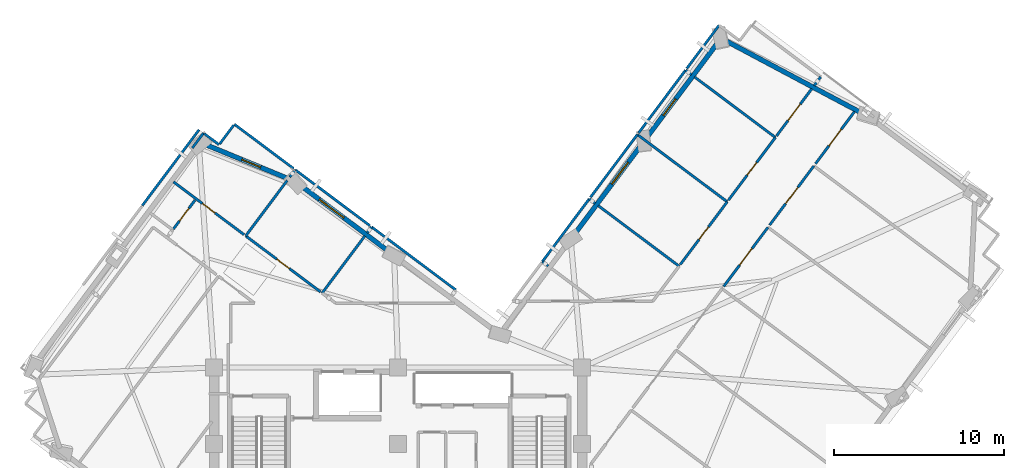
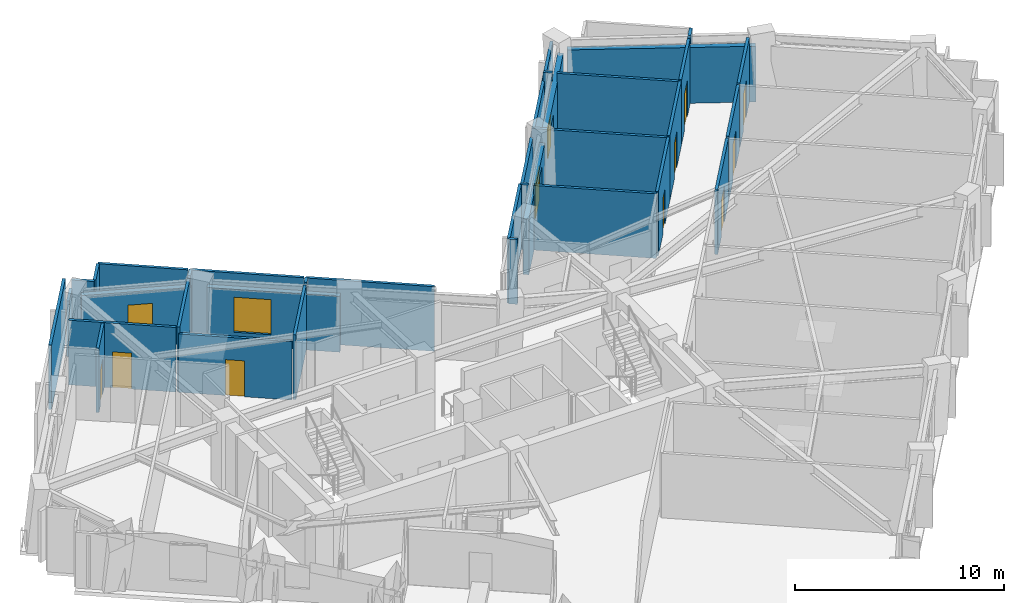
# One storey, part 6 of 12: 36 walls, 9 doors, 4 windows, 13 openings.
"""IFC4 building model written with IfcOpenShell, lengths in metres."""

import ifcopenshell
import ifcopenshell.guid

model = None  # the IFC model being written
_history = None  # IfcOwnerHistory: only IFC2X3 demands one
_inside = {}  # id of a spatial element -> (the spatial element, [elements in it])
_under = {}  # id of a project, library or spatial element -> (it, [spatial elements below it])
_declared = {}  # id of a project -> (the project, [libraries it declares])
_typed = {}  # id of a type object -> (the type object, [elements of that type])
_made_of = {}  # id of a material, layer set ... -> (it, [elements and type objects made of it])


def new_model(schema):
    """Start an empty IFC model of exactly this schema.

    Asked for "IFC4X3", IfcOpenShell would pick the latest addendum, in which some entities
    have other attributes; the version numbers below select the first issue.
    IFC2X3 requires an IfcOwnerHistory on every rooted entity: one is made here for all.
    """
    global model, _history
    if schema == "IFC4X3":
        model = ifcopenshell.file(schema_version=(4, 3, 0, 0))
    else:
        model = ifcopenshell.file(schema=schema)
    _inside.clear()
    _under.clear()
    _declared.clear()
    _typed.clear()
    _made_of.clear()
    _history = None
    if model.schema == "IFC2X3":
        org = make("IfcOrganization", Name="unknown")
        user = make(
            "IfcPersonAndOrganization",
            ThePerson=make("IfcPerson", FamilyName="unknown"),
            TheOrganization=org,
        )
        app = make(
            "IfcApplication",
            ApplicationDeveloper=org,
            Version="unknown",
            ApplicationFullName="unknown",
            ApplicationIdentifier="unknown",
        )
        _history = make(
            "IfcOwnerHistory",
            OwningUser=user,
            OwningApplication=app,
            ChangeAction="ADDED",
            CreationDate=0,
        )
    return model


def make(cls, **values):
    """One entity of the class cls with the attributes given. An attribute that is None is left unset."""
    return model.create_entity(
        cls, **{name: value for name, value in values.items() if value is not None}
    )


def rooted(cls, **values):
    """An entity with a GlobalId (a new one), such as an element, a storey or a relation."""
    return make(cls, GlobalId=ifcopenshell.guid.new(), OwnerHistory=_history, **values)


def si_unit(unit_type, name, prefix=None):
    """IfcSIUnit, for example si_unit("LENGTHUNIT", "METRE", prefix="MILLI")."""
    return make("IfcSIUnit", UnitType=unit_type, Prefix=prefix, Name=name)


def assignment(units):
    """IfcUnitAssignment: the units of a project."""
    return None if units is None else make("IfcUnitAssignment", Units=units)


def point(xyz):
    """IfcCartesianPoint."""
    return None if xyz is None else make("IfcCartesianPoint", Coordinates=xyz)


def direction(xyz):
    """IfcDirection."""
    return None if xyz is None else make("IfcDirection", DirectionRatios=xyz)


def frame(location, z_axis=None, x_axis=None):
    """IfcAxis2Placement3D, a coordinate frame: its origin and axes. An axis left out is left unset."""
    return make(
        "IfcAxis2Placement3D",
        Location=point(location),
        Axis=direction(z_axis),
        RefDirection=direction(x_axis),
    )


def frame_2d(location, x_axis=None):
    """IfcAxis2Placement2D, a coordinate frame in the plane: its origin and x axis."""
    return make(
        "IfcAxis2Placement2D", Location=point(location), RefDirection=direction(x_axis)
    )


def origin():
    """The frame at (0, 0, 0) with its axes left unset."""
    return frame((0.0, 0.0, 0.0))


def place(relative_to, where):
    """IfcLocalPlacement: puts the frame where relative to a parent placement (None: the world)."""
    return make(
        "IfcLocalPlacement", PlacementRelTo=relative_to, RelativePlacement=where
    )


def context(
    kind, dimensions, precision=None, world=None, true_north=None, identifier=None
):
    """IfcGeometricRepresentationContext, for example the 3D "Model" context."""
    return make(
        "IfcGeometricRepresentationContext",
        ContextIdentifier=identifier,
        ContextType=kind,
        CoordinateSpaceDimension=dimensions,
        Precision=precision,
        WorldCoordinateSystem=world,
        TrueNorth=true_north,
    )


def subcontext(parent, identifier, kind, view, scale=None):
    """IfcGeometricRepresentationSubContext, for example "Body" below "Model"."""
    return make(
        "IfcGeometricRepresentationSubContext",
        ContextIdentifier=identifier,
        ContextType=kind,
        ParentContext=parent,
        TargetScale=scale,
        TargetView=view,
    )


def project(units=None, contexts=None):
    """IfcProject with its units and contexts."""
    return rooted(
        "IfcProject",
        Name="project",
        RepresentationContexts=contexts,
        UnitsInContext=assignment(units),
    )


def spatial(cls, under=None, at=None, **own):
    """A site, building, storey or space (cls), placed at a placement, below another one or the project."""
    s = rooted(cls, ObjectPlacement=at, **own)
    if under is not None:
        _under.setdefault(under.id(), (under, []))[1].append(s)
    return s


def profile(cls, at=None, kind="AREA", **sizes):
    """A parametric profile (cls). Its sizes go by their IFC names, for example OverallWidth=200.0."""
    return make(cls, ProfileType=kind, Position=at, **sizes)


def rectangle(**sizes):
    """IfcRectangleProfileDef."""
    return profile("IfcRectangleProfileDef", **sizes)


def extrude(swept, where, along, depth):
    """IfcExtrudedAreaSolid: the profile swept, set in the frame where, extruded along a direction by depth."""
    return make(
        "IfcExtrudedAreaSolid",
        SweptArea=swept,
        Position=where,
        ExtrudedDirection=direction(along),
        Depth=depth,
    )


def shape(context_of_items, identifier, shape_type, items):
    """IfcShapeRepresentation: the items that make up one representation, for example the "Body"."""
    return make(
        "IfcShapeRepresentation",
        ContextOfItems=context_of_items,
        RepresentationIdentifier=identifier,
        RepresentationType=shape_type,
        Items=items,
    )


def material(Name=None, Category=None):
    """IfcMaterial."""
    return make("IfcMaterial", Name=Name, Category=Category)


def layer(
    of_material, thickness, ventilated=None, Name=None, Category=None, Priority=None
):
    """IfcMaterialLayer: one layer of a wall or slab, of a material (None: an air gap)."""
    return make(
        "IfcMaterialLayer",
        Material=of_material,
        LayerThickness=thickness,
        IsVentilated=ventilated,
        Name=Name,
        Category=Category,
        Priority=Priority,
    )


def layer_set(layers, Name=None):
    """IfcMaterialLayerSet."""
    return make("IfcMaterialLayerSet", MaterialLayers=layers, LayerSetName=Name)


def made_of(thing, what):
    """Note that an element or type object is made of a material, layer set ...; save() writes the relation."""
    if what is not None:
        _made_of.setdefault(what.id(), (what, []))[1].append(thing)
    return thing


def type_object(cls, material=None, **own):
    """A type object (cls), such as IfcWallType, which elements share."""
    return made_of(rooted(cls, **own), material)


def element(
    cls,
    number,
    at=None,
    inside=None,
    cuts=None,
    type_object=None,
    material=None,
    context=None,
    identifier="Body",
    shape_type=None,
    held_by="IfcProductDefinitionShape",
    body=None,
    shapes=None,
    **own,
):
    """One element of the class cls, such as IfcWall. Its Tag is "e" and its number.

    at: its placement. inside: the storey or other place that contains it. cuts: it is an
    opening in that element (IfcRelVoidsElement). A single representation is given by context,
    identifier, shape_type and body (its items); several are given by shapes. held_by: the class
    of the entity that holds the representations. save() writes the other relations.
    """
    e = rooted(cls, Tag="e%d" % number, ObjectPlacement=at, **own)
    if body is not None:
        shapes = [shape(context, identifier, shape_type, body)]
    if shapes is not None:
        e.Representation = make(held_by, Representations=shapes)
    if inside is not None:
        _inside.setdefault(inside.id(), (inside, []))[1].append(e)
    if cuts is not None:
        rooted(
            "IfcRelVoidsElement", RelatingBuildingElement=cuts, RelatedOpeningElement=e
        )
    if type_object is not None:
        _typed.setdefault(type_object.id(), (type_object, []))[1].append(e)
    return made_of(e, material)


def fill(opening, filler):
    """IfcRelFillsElement: the door or window that sits in an opening."""
    return rooted(
        "IfcRelFillsElement",
        RelatingOpeningElement=opening,
        RelatedBuildingElement=filler,
    )


def aggregate(whole, parts):
    """IfcRelAggregates: a whole, such as a stair, and the parts it consists of."""
    return rooted("IfcRelAggregates", RelatingObject=whole, RelatedObjects=parts)


def save(model, path):
    """Write the relations noted so far, then the file.

    IfcRelAggregates (storeys below a building ...), IfcRelContainedInSpatialStructure (elements
    in a storey), IfcRelDefinesByType, IfcRelAssociatesMaterial and IfcRelDeclares: one each for
    every whole, place, type object, material and project.
    """
    for whole, parts in _under.values():
        aggregate(whole, parts)
    for where, things in _inside.values():
        rooted(
            "IfcRelContainedInSpatialStructure",
            RelatedElements=things,
            RelatingStructure=where,
        )
    for kind, things in _typed.values():
        rooted("IfcRelDefinesByType", RelatedObjects=things, RelatingType=kind)
    for what, things in _made_of.values():
        rooted("IfcRelAssociatesMaterial", RelatedObjects=things, RelatingMaterial=what)
    for by, libraries in _declared.values():
        rooted("IfcRelDeclares", RelatingContext=by, RelatedDefinitions=libraries)
    model.write(path)


model = new_model("IFC4")

# Units and contexts
model_context = context("Model", 3, precision=1e-05, world=origin(), true_north=direction((0.0, 1.0)))
body_context = subcontext(model_context, "Body", "Model", "MODEL_VIEW")
ifc_project = project(units=[si_unit("LENGTHUNIT", "METRE"), si_unit("AREAUNIT", "SQUARE_METRE"), si_unit("VOLUMEUNIT", "CUBIC_METRE"), si_unit("PLANEANGLEUNIT", "RADIAN"), si_unit("MASSUNIT", "GRAM", prefix="KILO")], contexts=[model_context])

# Site, building, storey
site_placement = place(None, origin())
site = spatial("IfcSite", under=ifc_project, at=site_placement, CompositionType="ELEMENT")
building_placement = place(site_placement, origin())
building = spatial("IfcBuilding", under=site, at=building_placement, Name="Gaonmaruhae Medical Tower", CompositionType="ELEMENT")
storey_placement = place(building_placement, frame((0.0, 0.0, 251.199951171875)))
storey = spatial("IfcBuildingStorey", under=building, at=storey_placement, Name="L60", CompositionType="ELEMENT", Elevation=251.199951171875)

# Wall
ifc_material_1 = material(Name="Precast concrete C45/55", Category="concrete")
ifc_layer_1 = layer(ifc_material_1, 0.280029296875)
ifc_layer_set_1 = layer_set([ifc_layer_1], Name="Precast concrete C45/55")
wall_type_1 = type_object("IfcWallType", Name="EW-280 Upper Precast Masonry-Frame Facade Wall", PredefinedType="SOLIDWALL", material=ifc_layer_set_1)
wall_1_placement = place(storey_placement, frame((43.997802734375, 35.993896484375, 0.0), z_axis=(0.0, 0.0, 1.0), x_axis=(0.88287143587, -0.469614765233, 0.0)))
element("IfcWall", 1, at=wall_1_placement, inside=storey, type_object=wall_type_1, Name="L60 Precast Masonry-Frame Wall E02-E03", PredefinedType="SOLIDWALL", context=body_context, shape_type="SweptSolid", body=[
    extrude(rectangle(XDim=9.036376953125, YDim=0.280029296875, at=frame_2d((4.51806640625, 0.0))), origin(), (0.0, 0.0, 1.0), 3.26513671875),
])

# Wall, opening, window
wall_2_placement = place(storey_placement, frame((39.47509765625, 30.399658203125, 0.0), z_axis=(0.0, 0.0, 1.0), x_axis=(0.599014331177, 0.80073830372, 0.0)))
wall_2 = element("IfcWall", 2, at=wall_2_placement, inside=storey, type_object=wall_type_1, Name="L60 Precast Masonry-Frame Wall E03-EN01", PredefinedType="SOLIDWALL", context=body_context, shape_type="SweptSolid", body=[
    extrude(rectangle(XDim=6.780029296875, YDim=0.280029296875, at=frame_2d((3.39013671875, 0.0))), origin(), (0.0, 0.0, 1.0), 3.26513671875),
])
opening_1_placement = place(wall_2_placement, frame((1.494873046875, 0.0, 0.75)))
opening_1 = element("IfcOpeningElement", 3, at=opening_1_placement, cuts=wall_2, Name="Opening WN-05", PredefinedType="OPENING", context=body_context, shape_type="SweptSolid", body=[
    extrude(rectangle(XDim=1.199951171875, YDim=1.75, at=frame_2d((0.60009765625, 0.875))), frame((0.0, 0.14990234375, 0.0), z_axis=(0.0, -1.0, 0.0), x_axis=(1.0, 0.0, 0.0)), (0.0, 0.0, 1.0), 0.300048828125),
])
ifc_material_2 = material(Name="Anodised aluminium and Low-E double glazing", Category="aluminium")
window_type_1 = type_object("IfcWindowType", Name="WN-05 Support & Staff Punched Window 1200x1750", PartitioningType="SINGLE_PANEL", PredefinedType="WINDOW", material=ifc_material_2)
window_1_placement = place(opening_1_placement, origin())
window_1 = element("IfcWindow", 4, at=window_1_placement, inside=storey, type_object=window_type_1, Name="L60 Modular Facade Window E03", OverallHeight=1.75, OverallWidth=1.199951171875, PartitioningType="SINGLE_PANEL", PredefinedType="WINDOW", context=body_context, shape_type="SweptSolid", body=[
    extrude(rectangle(XDim=1.199951171875, YDim=1.75, at=frame_2d((0.60009765625, 0.875))), frame((0.0, 0.030029296875, 0.0), z_axis=(0.0, -1.0, 0.0), x_axis=(1.0, 0.0, 0.0)), (0.0, 0.0, 1.0), 0.06005859375),
])
fill(opening_1, window_1)

wall_3_placement = place(storey_placement, frame((35.165283203125, 24.638916015625, 0.0), z_axis=(0.0, 0.0, 1.0), x_axis=(0.599054928416, 0.800707932233, 0.0)))
wall_3 = element("IfcWall", 5, at=wall_3_placement, inside=storey, type_object=wall_type_1, Name="L60 Precast Masonry-Frame Wall EN01-EN02", PredefinedType="SOLIDWALL", context=body_context, shape_type="SweptSolid", body=[
    extrude(rectangle(XDim=6.409423828125, YDim=0.280029296875, at=frame_2d((3.20458984375, 0.0))), origin(), (0.0, 0.0, 1.0), 3.26513671875),
])
opening_2_placement = place(wall_3_placement, frame((3.646484375, 0.0, 0.75)))
opening_2 = element("IfcOpeningElement", 6, at=opening_2_placement, cuts=wall_3, Name="Opening WN-01", PredefinedType="OPENING", context=body_context, shape_type="SweptSolid", body=[
    extrude(rectangle(XDim=1.60009765625, YDim=1.949951171875, at=frame_2d((0.800048828125, 0.97509765625))), frame((0.0, 0.14990234375, 0.0), z_axis=(0.0, -1.0, 0.0), x_axis=(1.0, 0.0, 0.0)), (0.0, 0.0, 1.0), 0.300048828125),
])
window_type_2 = type_object("IfcWindowType", Name="WN-01 Ward Punched Acoustic Window 1600x1950", PartitioningType="SINGLE_PANEL", PredefinedType="WINDOW", material=ifc_material_2)
window_2_placement = place(opening_2_placement, origin())
window_2 = element("IfcWindow", 7, at=window_2_placement, inside=storey, type_object=window_type_2, Name="L60 Modular Facade Window EN01", OverallHeight=1.949951171875, OverallWidth=1.60009765625, PartitioningType="SINGLE_PANEL", PredefinedType="WINDOW", context=body_context, shape_type="SweptSolid", body=[
    extrude(rectangle(XDim=1.60009765625, YDim=1.949951171875, at=frame_2d((0.800048828125, 0.97509765625))), frame((0.0, 0.030029296875, 0.0), z_axis=(0.0, -1.0, 0.0), x_axis=(1.0, 0.0, 0.0)), (0.0, 0.0, 1.0), 0.06005859375),
])
fill(opening_2, window_2)

wall_4_placement = place(storey_placement, frame((19.135986328125, 27.4404296875, 0.0), z_axis=(0.0, 0.0, 1.0), x_axis=(0.800738185677, -0.599014488972, 0.0)))
wall_4 = element("IfcWall", 8, at=wall_4_placement, inside=storey, type_object=wall_type_1, Name="L60 Precast Masonry-Frame Wall NE01-NE02", PredefinedType="SOLIDWALL", context=body_context, shape_type="SweptSolid", body=[
    extrude(rectangle(XDim=6.424072265625, YDim=0.280029296875, at=frame_2d((3.2119140625, 0.0))), origin(), (0.0, 0.0, 1.0), 3.26513671875),
])
opening_3_placement = place(wall_4_placement, frame((1.30126953125, 0.0, 0.75)))
opening_3 = element("IfcOpeningElement", 9, at=opening_3_placement, cuts=wall_4, Name="Opening WN-04", PredefinedType="OPENING", context=body_context, shape_type="SweptSolid", body=[
    extrude(rectangle(XDim=1.800048828125, YDim=2.050048828125, at=frame_2d((0.89990234375, 1.02490234375))), frame((0.0, 0.14990234375, 0.0), z_axis=(0.0, -1.0, 0.0), x_axis=(1.0, 0.0, 0.0)), (0.0, 0.0, 1.0), 0.300048828125),
])
window_type_3 = type_object("IfcWindowType", Name="WN-04 Clinic & Consult Punched Window 1800x2050", PartitioningType="SINGLE_PANEL", PredefinedType="WINDOW", material=ifc_material_2)
window_3_placement = place(opening_3_placement, origin())
window_3 = element("IfcWindow", 10, at=window_3_placement, inside=storey, type_object=window_type_3, Name="L60 Modular Facade Window NE01", OverallHeight=2.050048828125, OverallWidth=1.800048828125, PartitioningType="SINGLE_PANEL", PredefinedType="WINDOW", context=body_context, shape_type="SweptSolid", body=[
    extrude(rectangle(XDim=1.800048828125, YDim=2.050048828125, at=frame_2d((0.89990234375, 1.02490234375))), frame((0.0, 0.030029296875, 0.0), z_axis=(0.0, -1.0, 0.0), x_axis=(1.0, 0.0, 0.0)), (0.0, 0.0, 1.0), 0.06005859375),
])
fill(opening_3, window_3)

wall_5_placement = place(storey_placement, frame((13.558837890625, 29.858642578125, 0.0), z_axis=(0.0, 0.0, 1.0), x_axis=(0.924418513739, -0.381379615943, 0.0)))
wall_5 = element("IfcWall", 11, at=wall_5_placement, inside=storey, type_object=wall_type_1, Name="L60 Precast Masonry-Frame Wall NE02-N01", PredefinedType="SOLIDWALL", context=body_context, shape_type="SweptSolid", body=[
    extrude(rectangle(XDim=5.302490234375, YDim=0.280029296875, at=frame_2d((2.6513671875, 0.0))), origin(), (0.0, 0.0, 1.0), 3.26513671875),
])
opening_4_placement = place(wall_5_placement, frame((2.23681640625, 0.0, 0.75)))
opening_4 = element("IfcOpeningElement", 12, at=opening_4_placement, cuts=wall_5, Name="Opening WN-05", PredefinedType="OPENING", context=body_context, shape_type="SweptSolid", body=[
    extrude(rectangle(XDim=1.199951171875, YDim=1.75, at=frame_2d((0.60009765625, 0.875))), frame((0.0, 0.14990234375, 0.0), z_axis=(0.0, -1.0, 0.0), x_axis=(1.0, 0.0, 0.0)), (0.0, 0.0, 1.0), 0.300048828125),
])
window_4_placement = place(opening_4_placement, origin())
window_4 = element("IfcWindow", 13, at=window_4_placement, inside=storey, type_object=window_type_1, Name="L60 Modular Facade Window NE02", OverallHeight=1.75, OverallWidth=1.199951171875, PartitioningType="SINGLE_PANEL", PredefinedType="WINDOW", context=body_context, shape_type="SweptSolid", body=[
    extrude(rectangle(XDim=1.199951171875, YDim=1.75, at=frame_2d((0.60009765625, 0.875))), frame((0.0, 0.030029296875, 0.0), z_axis=(0.0, -1.0, 0.0), x_axis=(1.0, 0.0, 0.0)), (0.0, 0.0, 1.0), 0.06005859375),
])
fill(opening_4, window_4)

# Wall, opening, door
ifc_material_3 = material(Name="Gypsum board partition", Category="gypsum")
ifc_layer_2 = layer(ifc_material_3, 0.14990234375)
ifc_layer_set_2 = layer_set([ifc_layer_2], Name="Gypsum board partition")
wall_type_2 = type_object("IfcWallType", Name="PW-150 Rated Clinical Corridor Partition", PredefinedType="PARTITIONING", material=ifc_layer_set_2)
wall_6_placement = place(storey_placement, frame((43.908935546875, 21.552978515625, 0.0), z_axis=(0.0, 0.0, 1.0), x_axis=(0.599081575716, 0.800687995187, 0.0)))
wall_6 = element("IfcWall", 14, at=wall_6_placement, inside=storey, type_object=wall_type_2, Name="L60 Interior Partition L60-SUP08-23", PredefinedType="PARTITIONING", context=body_context, shape_type="SweptSolid", body=[
    extrude(rectangle(XDim=4.340087890625, YDim=0.14990234375, at=frame_2d((2.169921875, 0.0))), origin(), (0.0, 0.0, 1.0), 3.780029296875),
])
opening_5_placement = place(wall_6_placement, frame((1.570068359375, 0.0, 0.0)))
opening_5 = element("IfcOpeningElement", 15, at=opening_5_placement, cuts=wall_6, Name="Opening CD-02", PredefinedType="OPENING", context=body_context, shape_type="SweptSolid", body=[
    extrude(rectangle(XDim=1.199951171875, YDim=2.14990234375, at=frame_2d((0.60009765625, 1.074951171875))), frame((0.0, 0.0849609375, 0.0), z_axis=(0.0, -1.0, 0.0), x_axis=(1.0, 0.0, 0.0)), (0.0, 0.0, 1.0), 0.169921875),
])
ifc_material_4 = material(Name="Antimicrobial laminate timber fire door", Category="wood")
door_type_1 = type_object("IfcDoorType", Name="CD-02 Clinical Treatment & Procedure Door 1200x2150", OperationType="NOTDEFINED", PredefinedType="DOOR", material=ifc_material_4)
door_1_placement = place(opening_5_placement, origin())
door_1 = element("IfcDoor", 16, at=door_1_placement, inside=storey, type_object=door_type_1, Name="L60 Clinical Biomedical Charting Office Door", OperationType="SINGLE_SWING_LEFT", OverallHeight=2.14990234375, OverallWidth=1.199951171875, PredefinedType="DOOR", context=body_context, shape_type="SweptSolid", body=[
    extrude(rectangle(XDim=1.199951171875, YDim=2.14990234375, at=frame_2d((0.60009765625, 1.074951171875))), frame((0.0, 0.02490234375, 0.0), z_axis=(0.0, -1.0, 0.0), x_axis=(1.0, 0.0, 0.0)), (0.0, 0.0, 1.0), 0.050048828125),
])
fill(opening_5, door_1)

wall_7_placement = place(storey_placement, frame((46.60498046875, 25.156005859375, 0.0), z_axis=(0.0, 0.0, 1.0), x_axis=(0.598937294168, 0.800795927596, 0.0)))
wall_7 = element("IfcWall", 17, at=wall_7_placement, inside=storey, type_object=wall_type_2, Name="L60 Interior Partition L60-SUP09-26", PredefinedType="PARTITIONING", context=body_context, shape_type="SweptSolid", body=[
    extrude(rectangle(XDim=4.339599609375, YDim=0.14990234375, at=frame_2d((2.169921875, 0.0))), origin(), (0.0, 0.0, 1.0), 3.780029296875),
])
opening_6_placement = place(wall_7_placement, frame((1.569580078125, 0.0, 0.0)))
opening_6 = element("IfcOpeningElement", 18, at=opening_6_placement, cuts=wall_7, Name="Opening CD-02", PredefinedType="OPENING", context=body_context, shape_type="SweptSolid", body=[
    extrude(rectangle(XDim=1.199951171875, YDim=2.14990234375, at=frame_2d((0.60009765625, 1.074951171875))), frame((0.0, 0.0849609375, 0.0), z_axis=(0.0, -1.0, 0.0), x_axis=(1.0, 0.0, 0.0)), (0.0, 0.0, 1.0), 0.169921875),
])
door_2_placement = place(opening_6_placement, origin())
door_2 = element("IfcDoor", 19, at=door_2_placement, inside=storey, type_object=door_type_1, Name="L60 Clinical Biomedical Charting Office Door", OperationType="SINGLE_SWING_LEFT", OverallHeight=2.14990234375, OverallWidth=1.199951171875, PredefinedType="DOOR", context=body_context, shape_type="SweptSolid", body=[
    extrude(rectangle(XDim=1.199951171875, YDim=2.14990234375, at=frame_2d((0.60009765625, 1.074951171875))), frame((0.0, 0.02490234375, 0.0), z_axis=(0.0, -1.0, 0.0), x_axis=(1.0, 0.0, 0.0)), (0.0, 0.0, 1.0), 0.050048828125),
])
fill(opening_6, door_2)

wall_8_placement = place(storey_placement, frame((49.300048828125, 28.759033203125, 0.0), z_axis=(0.0, 0.0, 1.0), x_axis=(0.599040287777, 0.800718885515, 0.0)))
wall_8 = element("IfcWall", 20, at=wall_8_placement, inside=storey, type_object=wall_type_2, Name="L60 Interior Partition L60-SUP10-33", PredefinedType="PARTITIONING", context=body_context, shape_type="SweptSolid", body=[
    extrude(rectangle(XDim=3.82763671875, YDim=0.14990234375, at=frame_2d((1.913818359375, 0.0))), origin(), (0.0, 0.0, 1.0), 3.780029296875),
])
opening_7_placement = place(wall_8_placement, frame((1.31396484375, 0.0, 0.0)))
opening_7 = element("IfcOpeningElement", 21, at=opening_7_placement, cuts=wall_8, Name="Opening CD-02", PredefinedType="OPENING", context=body_context, shape_type="SweptSolid", body=[
    extrude(rectangle(XDim=1.199951171875, YDim=2.14990234375, at=frame_2d((0.60009765625, 1.074951171875))), frame((0.0, 0.0849609375, 0.0), z_axis=(0.0, -1.0, 0.0), x_axis=(1.0, 0.0, 0.0)), (0.0, 0.0, 1.0), 0.169921875),
])
door_3_placement = place(opening_7_placement, origin())
door_3 = element("IfcDoor", 22, at=door_3_placement, inside=storey, type_object=door_type_1, Name="L60 Clinical Biomedical Charting Office Door", OperationType="SINGLE_SWING_LEFT", OverallHeight=2.14990234375, OverallWidth=1.199951171875, PredefinedType="DOOR", context=body_context, shape_type="SweptSolid", body=[
    extrude(rectangle(XDim=1.199951171875, YDim=2.14990234375, at=frame_2d((0.60009765625, 1.074951171875))), frame((0.0, 0.02490234375, 0.0), z_axis=(0.0, -1.0, 0.0), x_axis=(1.0, 0.0, 0.0)), (0.0, 0.0, 1.0), 0.050048828125),
])
fill(opening_7, door_3)

# Walls
wall_9_placement = place(storey_placement, frame((33.262939453125, 23.013916015625, 0.0), z_axis=(0.0, 0.0, 1.0), x_axis=(0.599064962101, 0.800700425367, 0.0)))
element("IfcWall", 23, at=wall_9_placement, inside=storey, type_object=wall_type_2, Name="L60 Interior Partition L60-IE03-63", PredefinedType="PARTITIONING", context=body_context, shape_type="SweptSolid", body=[
    extrude(rectangle(XDim=4.597412109375, YDim=0.14990234375, at=frame_2d((2.298828125, 0.0))), origin(), (0.0, 0.0, 1.0), 3.780029296875),
])
wall_10_placement = place(storey_placement, frame((36.01708984375, 26.695068359375, 0.0), z_axis=(0.0, 0.0, 1.0), x_axis=(0.80101066545, -0.598650076284, 0.0)))
element("IfcWall", 24, at=wall_10_placement, inside=storey, type_object=wall_type_2, Name="L60 Interior Partition L60-IE03-64", PredefinedType="PARTITIONING", context=body_context, shape_type="SweptSolid", body=[
    extrude(rectangle(XDim=0.434326171875, YDim=0.14990234375, at=frame_2d((0.21728515625, 0.0))), origin(), (0.0, 0.0, 1.0), 3.780029296875),
])
wall_11_placement = place(storey_placement, frame((36.549072265625, 26.297119140625, 0.0), z_axis=(0.0, 0.0, 1.0), x_axis=(0.800696541922, -0.599070152616, 0.0)))
element("IfcWall", 25, at=wall_11_placement, inside=storey, type_object=wall_type_2, Name="L60 Interior Partition L60-IE03-65", PredefinedType="PARTITIONING", context=body_context, shape_type="SweptSolid", body=[
    extrude(rectangle(XDim=5.926025390625, YDim=0.14990234375, at=frame_2d((2.962890625, 0.0))), origin(), (0.0, 0.0, 1.0), 3.780029296875),
])
wall_12_placement = place(storey_placement, frame((33.611083984375, 22.7529296875, 0.0), z_axis=(0.0, 0.0, 1.0), x_axis=(-0.800134644868, 0.599820431531, 0.0)))
element("IfcWall", 26, at=wall_12_placement, inside=storey, type_object=wall_type_2, Name="L60 Interior Partition L60-IE03-69", PredefinedType="PARTITIONING", context=body_context, shape_type="SweptSolid", body=[
    extrude(rectangle(XDim=0.43505859375, YDim=0.14990234375, at=frame_2d((0.217529296875, 0.0))), origin(), (0.0, 0.0, 1.0), 3.780029296875),
])

# Wall, opening, door
wall_13_placement = place(storey_placement, frame((44.118896484375, 26.52490234375, 0.0), z_axis=(0.0, 0.0, 1.0), x_axis=(-0.598954503675, -0.800783055844, 0.0)))
wall_13 = element("IfcWall", 27, at=wall_13_placement, inside=storey, type_object=wall_type_2, Name="L60 Interior Partition L60-IE04-70", PredefinedType="PARTITIONING", context=body_context, shape_type="SweptSolid", body=[
    extrude(rectangle(XDim=4.597900390625, YDim=0.14990234375, at=frame_2d((2.298828125, 0.0))), origin(), (0.0, 0.0, 1.0), 3.780029296875),
])
opening_8_placement = place(wall_13_placement, frame((1.839111328125, 0.0, 0.0)))
opening_8 = element("IfcOpeningElement", 28, at=opening_8_placement, cuts=wall_13, Name="Opening UD-01", PredefinedType="OPENING", context=body_context, shape_type="SweptSolid", body=[
    extrude(rectangle(XDim=0.919921875, YDim=2.10009765625, at=frame_2d((0.4599609375, 1.050048828125))), frame((0.0, 0.0849609375, 0.0), z_axis=(0.0, -1.0, 0.0), x_axis=(1.0, 0.0, 0.0)), (0.0, 0.0, 1.0), 0.169921875),
])
ifc_material_5 = material(Name="Powder-coated steel utility door", Category="steel")
door_type_2 = type_object("IfcDoorType", Name="UD-01 Toilet, Utility & Housekeeping Door 920x2100", OperationType="NOTDEFINED", PredefinedType="DOOR", material=ifc_material_5)
door_4_placement = place(opening_8_placement, origin())
door_4 = element("IfcDoor", 29, at=door_4_placement, inside=storey, type_object=door_type_2, Name="L60 Accessible Public Toilet Door", OperationType="SINGLE_SWING_RIGHT", OverallHeight=2.10009765625, OverallWidth=0.919921875, PredefinedType="DOOR", context=body_context, shape_type="SweptSolid", body=[
    extrude(rectangle(XDim=0.919921875, YDim=2.10009765625, at=frame_2d((0.4599609375, 1.050048828125))), frame((0.0, 0.02490234375, 0.0), z_axis=(0.0, -1.0, 0.0), x_axis=(1.0, 0.0, 0.0)), (0.0, 0.0, 1.0), 0.050048828125),
])
fill(opening_8, door_4)

# Walls
wall_14_placement = place(storey_placement, frame((36.089111328125, 26.791015625, 0.0), z_axis=(0.0, 0.0, 1.0), x_axis=(0.599056387828, 0.800706840362, 0.0)))
element("IfcWall", 30, at=wall_14_placement, inside=storey, type_object=wall_type_2, Name="L60 Interior Partition L60-IE04-71", PredefinedType="PARTITIONING", context=body_context, shape_type="SweptSolid", body=[
    extrude(rectangle(XDim=4.59716796875, YDim=0.14990234375, at=frame_2d((2.298583984375, 0.0))), origin(), (0.0, 0.0, 1.0), 3.26513671875),
])
wall_15_placement = place(storey_placement, frame((38.843017578125, 30.471923828125, 0.0), z_axis=(0.0, 0.0, 1.0), x_axis=(0.800719737782, -0.599039148576, 0.0)))
element("IfcWall", 31, at=wall_15_placement, inside=storey, type_object=wall_type_2, Name="L60 Interior Partition L60-IE04-72", PredefinedType="PARTITIONING", context=body_context, shape_type="SweptSolid", body=[
    extrude(rectangle(XDim=6.5888671875, YDim=0.14990234375, at=frame_2d((3.29443359375, 0.0))), origin(), (0.0, 0.0, 1.0), 3.780029296875),
])

# Wall, opening, door
wall_16_placement = place(storey_placement, frame((46.945068359375, 30.302001953125, 0.0), z_axis=(0.0, 0.0, 1.0), x_axis=(-0.599090435307, -0.80068136629, 0.0)))
wall_16 = element("IfcWall", 32, at=wall_16_placement, inside=storey, type_object=wall_type_2, Name="L60 Interior Partition L60-IE05-73", PredefinedType="PARTITIONING", context=body_context, shape_type="SweptSolid", body=[
    extrude(rectangle(XDim=4.59716796875, YDim=0.14990234375, at=frame_2d((2.298583984375, 0.0))), origin(), (0.0, 0.0, 1.0), 3.780029296875),
])
opening_9_placement = place(wall_16_placement, frame((1.838623046875, 0.0, 0.0)))
opening_9 = element("IfcOpeningElement", 33, at=opening_9_placement, cuts=wall_16, Name="Opening UD-01", PredefinedType="OPENING", context=body_context, shape_type="SweptSolid", body=[
    extrude(rectangle(XDim=0.919921875, YDim=2.10009765625, at=frame_2d((0.4599609375, 1.050048828125))), frame((0.0, 0.0849609375, 0.0), z_axis=(0.0, -1.0, 0.0), x_axis=(1.0, 0.0, 0.0)), (0.0, 0.0, 1.0), 0.169921875),
])
door_5_placement = place(opening_9_placement, origin())
door_5 = element("IfcDoor", 34, at=door_5_placement, inside=storey, type_object=door_type_2, Name="L60 Ward Housekeeping and Linen Store Door", OperationType="SINGLE_SWING_RIGHT", OverallHeight=2.10009765625, OverallWidth=0.919921875, PredefinedType="DOOR", context=body_context, shape_type="SweptSolid", body=[
    extrude(rectangle(XDim=0.919921875, YDim=2.10009765625, at=frame_2d((0.4599609375, 1.050048828125))), frame((0.0, 0.02490234375, 0.0), z_axis=(0.0, -1.0, 0.0), x_axis=(1.0, 0.0, 0.0)), (0.0, 0.0, 1.0), 0.050048828125),
])
fill(opening_9, door_5)

# Walls
wall_17_placement = place(storey_placement, frame((38.9140625, 30.568115234375, 0.0), z_axis=(0.0, 0.0, 1.0), x_axis=(0.598954503675, 0.800783055844, 0.0)))
element("IfcWall", 35, at=wall_17_placement, inside=storey, type_object=wall_type_2, Name="L60 Interior Partition L60-IE05-74", PredefinedType="PARTITIONING", context=body_context, shape_type="SweptSolid", body=[
    extrude(rectangle(XDim=4.597900390625, YDim=0.14990234375, at=frame_2d((2.298828125, 0.0))), origin(), (0.0, 0.0, 1.0), 3.26513671875),
])
wall_18_placement = place(storey_placement, frame((41.66796875, 34.25, 0.0), z_axis=(0.0, 0.0, 1.0), x_axis=(0.800939980659, -0.598744642884, 0.0)))
element("IfcWall", 36, at=wall_18_placement, inside=storey, type_object=wall_type_2, Name="L60 Interior Partition L60-IE05-75", PredefinedType="PARTITIONING", context=body_context, shape_type="SweptSolid", body=[
    extrude(rectangle(XDim=0.435791015625, YDim=0.14990234375, at=frame_2d((0.2177734375, 0.0))), origin(), (0.0, 0.0, 1.0), 3.780029296875),
])
wall_19_placement = place(storey_placement, frame((42.200927734375, 33.85107421875, 0.0), z_axis=(0.0, 0.0, 1.0), x_axis=(0.800731238319, -0.599023775805, 0.0)))
element("IfcWall", 37, at=wall_19_placement, inside=storey, type_object=wall_type_2, Name="L60 Interior Partition L60-IE05-76", PredefinedType="PARTITIONING", context=body_context, shape_type="SweptSolid", body=[
    extrude(rectangle(XDim=5.9248046875, YDim=0.14990234375, at=frame_2d((2.96240234375, 0.0))), origin(), (0.0, 0.0, 1.0), 3.780029296875),
])
wall_20_placement = place(storey_placement, frame((49.60498046875, 33.85791015625, 0.0), z_axis=(0.0, 0.0, 1.0), x_axis=(-0.598351259645, -0.801233904725, 0.0)))
element("IfcWall", 38, at=wall_20_placement, inside=storey, type_object=wall_type_2, Name="L60 Interior Partition L60-IE06-79", PredefinedType="PARTITIONING", context=body_context, shape_type="SweptSolid", body=[
    extrude(rectangle(XDim=0.64013671875, YDim=0.14990234375, at=frame_2d((0.320068359375, 0.0))), origin(), (0.0, 0.0, 1.0), 3.780029296875),
])

# Wall, opening, door
wall_21_placement = place(storey_placement, frame((49.08203125, 33.158935546875, 0.0), z_axis=(0.0, 0.0, 1.0), x_axis=(-0.598923123133, -0.800806526308, 0.0)))
wall_21 = element("IfcWall", 39, at=wall_21_placement, inside=storey, type_object=wall_type_2, Name="L60 Interior Partition L60-IE06-80", PredefinedType="PARTITIONING", context=body_context, shape_type="SweptSolid", body=[
    extrude(rectangle(XDim=3.44775390625, YDim=0.14990234375, at=frame_2d((1.723876953125, 0.0))), origin(), (0.0, 0.0, 1.0), 3.780029296875),
])
opening_10_placement = place(wall_21_placement, frame((1.123779296875, 0.0, 0.0)))
opening_10 = element("IfcOpeningElement", 40, at=opening_10_placement, cuts=wall_21, Name="Opening CD-02", PredefinedType="OPENING", context=body_context, shape_type="SweptSolid", body=[
    extrude(rectangle(XDim=1.199951171875, YDim=2.14990234375, at=frame_2d((0.60009765625, 1.074951171875))), frame((0.0, 0.0849609375, 0.0), z_axis=(0.0, -1.0, 0.0), x_axis=(1.0, 0.0, 0.0)), (0.0, 0.0, 1.0), 0.169921875),
])
door_6_placement = place(opening_10_placement, origin())
door_6 = element("IfcDoor", 41, at=door_6_placement, inside=storey, type_object=door_type_1, Name="L60 Multidisciplinary Clinical Consultation Room Door", OperationType="SINGLE_SWING_RIGHT", OverallHeight=2.14990234375, OverallWidth=1.199951171875, PredefinedType="DOOR", context=body_context, shape_type="SweptSolid", body=[
    extrude(rectangle(XDim=1.199951171875, YDim=2.14990234375, at=frame_2d((0.60009765625, 1.074951171875))), frame((0.0, 0.02490234375, 0.0), z_axis=(0.0, -1.0, 0.0), x_axis=(1.0, 0.0, 0.0)), (0.0, 0.0, 1.0), 0.050048828125),
])
fill(opening_10, door_6)

# Walls
wall_22_placement = place(storey_placement, frame((41.739990234375, 34.345947265625, 0.0), z_axis=(0.0, 0.0, 1.0), x_axis=(0.599078297552, 0.800690447927, 0.0)))
element("IfcWall", 42, at=wall_22_placement, inside=storey, type_object=wall_type_2, Name="L60 Interior Partition L60-IE06-81", PredefinedType="PARTITIONING", context=body_context, shape_type="SweptSolid", body=[
    extrude(rectangle(XDim=3.179931640625, YDim=0.14990234375, at=frame_2d((1.58984375, 0.0))), origin(), (0.0, 0.0, 1.0), 3.26513671875),
])
wall_23_placement = place(storey_placement, frame((20.342041015625, 21.16796875, 0.0), z_axis=(0.0, 0.0, 1.0), x_axis=(0.599197113392, 0.800601535911, 0.0)))
element("IfcWall", 43, at=wall_23_placement, inside=storey, type_object=wall_type_2, Name="L60 Interior Partition L60-IN01-85", PredefinedType="PARTITIONING", context=body_context, shape_type="SweptSolid", body=[
    extrude(rectangle(XDim=4.185791015625, YDim=0.14990234375, at=frame_2d((2.0927734375, 0.0))), origin(), (0.0, 0.0, 1.0), 3.780029296875),
])
wall_24_placement = place(storey_placement, frame((22.987060546875, 24.702880859375, 0.0), z_axis=(0.0, 0.0, 1.0), x_axis=(0.599820431531, 0.800134644868, 0.0)))
element("IfcWall", 44, at=wall_24_placement, inside=storey, type_object=wall_type_2, Name="L60 Interior Partition L60-IN01-86", PredefinedType="PARTITIONING", context=body_context, shape_type="SweptSolid", body=[
    extrude(rectangle(XDim=0.43505859375, YDim=0.14990234375, at=frame_2d((0.217529296875, 0.0))), origin(), (0.0, 0.0, 1.0), 3.780029296875),
])
wall_25_placement = place(storey_placement, frame((23.248046875, 25.051025390625, 0.0), z_axis=(0.0, 0.0, 1.0), x_axis=(0.800705846132, -0.599057716727, 0.0)))
element("IfcWall", 45, at=wall_25_placement, inside=storey, type_object=wall_type_2, Name="L60 Interior Partition L60-IN01-87", PredefinedType="PARTITIONING", context=body_context, shape_type="SweptSolid", body=[
    extrude(rectangle(XDim=6.179443359375, YDim=0.14990234375, at=frame_2d((3.08984375, 0.0))), origin(), (0.0, 0.0, 1.0), 3.780029296875),
])

# Wall, opening, door
wall_26_placement = place(storey_placement, frame((20.24609375, 21.239990234375, 0.0), z_axis=(0.0, 0.0, 1.0), x_axis=(-0.800801245032, 0.598930184542, 0.0)))
wall_26 = element("IfcWall", 46, at=wall_26_placement, inside=storey, type_object=wall_type_2, Name="L60 Interior Partition L60-IN02-89", PredefinedType="PARTITIONING", context=body_context, shape_type="SweptSolid", body=[
    extrude(rectangle(XDim=5.479736328125, YDim=0.14990234375, at=frame_2d((2.73974609375, 0.0))), origin(), (0.0, 0.0, 1.0), 3.4150390625),
])
opening_11_placement = place(wall_26_placement, frame((2.27978515625, 0.0, 0.0)))
opening_11 = element("IfcOpeningElement", 47, at=opening_11_placement, cuts=wall_26, Name="Opening UD-01", PredefinedType="OPENING", context=body_context, shape_type="SweptSolid", body=[
    extrude(rectangle(XDim=0.919921875, YDim=2.10009765625, at=frame_2d((0.4599609375, 1.050048828125))), frame((0.0, 0.0849609375, 0.0), z_axis=(0.0, -1.0, 0.0), x_axis=(1.0, 0.0, 0.0)), (0.0, 0.0, 1.0), 0.169921875),
])
door_7_placement = place(opening_11_placement, origin())
door_7 = element("IfcDoor", 48, at=door_7_placement, inside=storey, type_object=door_type_2, Name="L60 Ward Nutrition Pantry Door", OperationType="SINGLE_SWING_RIGHT", OverallHeight=2.10009765625, OverallWidth=0.919921875, PredefinedType="DOOR", context=body_context, shape_type="SweptSolid", body=[
    extrude(rectangle(XDim=0.919921875, YDim=2.10009765625, at=frame_2d((0.4599609375, 1.050048828125))), frame((0.0, 0.02490234375, 0.0), z_axis=(0.0, -1.0, 0.0), x_axis=(1.0, 0.0, 0.0)), (0.0, 0.0, 1.0), 0.050048828125),
])
fill(opening_11, door_7)

# Walls
wall_27_placement = place(storey_placement, frame((15.85791015625, 24.52197265625, 0.0), z_axis=(0.0, 0.0, 1.0), x_axis=(0.599126091741, 0.800654685989, 0.0)))
element("IfcWall", 49, at=wall_27_placement, inside=storey, type_object=wall_type_2, Name="L60 Interior Partition L60-IN02-90", PredefinedType="PARTITIONING", context=body_context, shape_type="SweptSolid", body=[
    extrude(rectangle(XDim=4.0693359375, YDim=0.14990234375, at=frame_2d((2.03466796875, 0.0))), origin(), (0.0, 0.0, 1.0), 3.780029296875),
])
wall_28_placement = place(storey_placement, frame((18.43798828125, 27.969970703125, 0.0), z_axis=(0.0, 0.0, 1.0), x_axis=(0.598707624048, 0.800967652847, 0.0)))
element("IfcWall", 50, at=wall_28_placement, inside=storey, type_object=wall_type_2, Name="L60 Interior Partition L60-IN02-91", PredefinedType="PARTITIONING", context=body_context, shape_type="SweptSolid", body=[
    extrude(rectangle(XDim=0.54443359375, YDim=0.14990234375, at=frame_2d((0.272216796875, 0.0))), origin(), (0.0, 0.0, 1.0), 3.780029296875),
])
wall_29_placement = place(storey_placement, frame((18.763916015625, 28.406005859375, 0.0), z_axis=(0.0, 0.0, 1.0), x_axis=(0.800715770643, -0.599044451309, 0.0)))
element("IfcWall", 51, at=wall_29_placement, inside=storey, type_object=wall_type_2, Name="L60 Interior Partition L60-IN02-92", PredefinedType="PARTITIONING", context=body_context, shape_type="SweptSolid", body=[
    extrude(rectangle(XDim=5.480224609375, YDim=0.14990234375, at=frame_2d((2.740234375, 0.0))), origin(), (0.0, 0.0, 1.0), 3.780029296875),
])
wall_30_placement = place(storey_placement, frame((15.19189453125, 31.077880859375, 0.0), z_axis=(0.0, 0.0, 1.0), x_axis=(0.800795703966, -0.598937593168, 0.0)))
element("IfcWall", 52, at=wall_30_placement, inside=storey, type_object=wall_type_2, Name="L60 Interior Partition L60-IN03-93", PredefinedType="PARTITIONING", context=body_context, shape_type="SweptSolid", body=[
    extrude(rectangle(XDim=4.3408203125, YDim=0.14990234375, at=frame_2d((2.17041015625, 0.0))), origin(), (0.0, 0.0, 1.0), 3.780029296875),
])

# Wall, opening, door
wall_31_placement = place(storey_placement, frame((15.761962890625, 24.593994140625, 0.0), z_axis=(0.0, 0.0, 1.0), x_axis=(-0.800735316179, 0.599018324781, 0.0)))
wall_31 = element("IfcWall", 53, at=wall_31_placement, inside=storey, type_object=wall_type_2, Name="L60 Interior Partition L60-IN03-94", PredefinedType="PARTITIONING", context=body_context, shape_type="SweptSolid", body=[
    extrude(rectangle(XDim=5.17529296875, YDim=0.14990234375, at=frame_2d((2.587646484375, 0.0))), origin(), (0.0, 0.0, 1.0), 3.780029296875),
])
opening_12_placement = place(wall_31_placement, frame((2.127685546875, 0.0, 0.0)))
opening_12 = element("IfcOpeningElement", 54, at=opening_12_placement, cuts=wall_31, Name="Opening UD-01", PredefinedType="OPENING", context=body_context, shape_type="SweptSolid", body=[
    extrude(rectangle(XDim=0.919921875, YDim=2.10009765625, at=frame_2d((0.4599609375, 1.050048828125))), frame((0.0, 0.0849609375, 0.0), z_axis=(0.0, -1.0, 0.0), x_axis=(1.0, 0.0, 0.0)), (0.0, 0.0, 1.0), 0.169921875),
])
door_8_placement = place(opening_12_placement, origin())
door_8 = element("IfcDoor", 55, at=door_8_placement, inside=storey, type_object=door_type_2, Name="L60 Public Visitor Toilet Door", OperationType="SINGLE_SWING_RIGHT", OverallHeight=2.10009765625, OverallWidth=0.919921875, PredefinedType="DOOR", context=body_context, shape_type="SweptSolid", body=[
    extrude(rectangle(XDim=0.919921875, YDim=2.10009765625, at=frame_2d((0.4599609375, 1.050048828125))), frame((0.0, 0.02490234375, 0.0), z_axis=(0.0, -1.0, 0.0), x_axis=(1.0, 0.0, 0.0)), (0.0, 0.0, 1.0), 0.050048828125),
])
fill(opening_12, door_8)

# Walls
wall_32_placement = place(storey_placement, frame((12.720947265625, 29.677001953125, 0.0), z_axis=(0.0, 0.0, 1.0), x_axis=(0.599184230466, 0.800611177764, 0.0)))
element("IfcWall", 56, at=wall_32_placement, inside=storey, type_object=wall_type_2, Name="L60 Interior Partition L60-IN03-95", PredefinedType="PARTITIONING", context=body_context, shape_type="SweptSolid", body=[
    extrude(rectangle(XDim=1.101806640625, YDim=0.14990234375, at=frame_2d((0.55078125, 0.0))), origin(), (0.0, 0.0, 1.0), 3.26513671875),
])
wall_33_placement = place(storey_placement, frame((13.4208984375, 30.529052734375, 0.0), z_axis=(0.0, 0.0, 1.0), x_axis=(0.800751755219, -0.598996349332, 0.0)))
element("IfcWall", 57, at=wall_33_placement, inside=storey, type_object=wall_type_2, Name="L60 Interior Partition L60-IN03-96", PredefinedType="PARTITIONING", context=body_context, shape_type="SweptSolid", body=[
    extrude(rectangle(XDim=1.09033203125, YDim=0.14990234375, at=frame_2d((0.545166015625, 0.0))), origin(), (0.0, 0.0, 1.0), 3.780029296875),
])
wall_34_placement = place(storey_placement, frame((14.323974609375, 29.916015625, 0.0), z_axis=(0.0, 0.0, 1.0), x_axis=(0.598436958671, 0.801169898646, 0.0)))
element("IfcWall", 58, at=wall_34_placement, inside=storey, type_object=wall_type_2, Name="L60 Interior Partition L60-IN03-97", PredefinedType="PARTITIONING", context=body_context, shape_type="SweptSolid", body=[
    extrude(rectangle(XDim=1.400634765625, YDim=0.14990234375, at=frame_2d((0.7001953125, 0.0))), origin(), (0.0, 0.0, 1.0), 3.780029296875),
])

# Wall, opening, door
wall_35_placement = place(storey_placement, frame((12.884033203125, 26.623046875, 0.0), z_axis=(0.0, 0.0, 1.0), x_axis=(-0.598949421872, -0.800786856809, 0.0)))
wall_35 = element("IfcWall", 59, at=wall_35_placement, inside=storey, type_object=wall_type_2, Name="L60 Interior Partition L60-RM03-102", PredefinedType="PARTITIONING", context=body_context, shape_type="SweptSolid", body=[
    extrude(rectangle(XDim=2.120361328125, YDim=0.14990234375, at=frame_2d((1.06005859375, 0.0))), origin(), (0.0, 0.0, 1.0), 3.780029296875),
])
opening_13_placement = place(wall_35_placement, frame((0.60009765625, 0.0, 0.0)))
opening_13 = element("IfcOpeningElement", 60, at=opening_13_placement, cuts=wall_35, Name="Opening UD-01", PredefinedType="OPENING", context=body_context, shape_type="SweptSolid", body=[
    extrude(rectangle(XDim=0.919921875, YDim=2.10009765625, at=frame_2d((0.4599609375, 1.050048828125))), frame((0.0, 0.0849609375, 0.0), z_axis=(0.0, -1.0, 0.0), x_axis=(1.0, 0.0, 0.0)), (0.0, 0.0, 1.0), 0.169921875),
])
door_9_placement = place(opening_13_placement, origin())
door_9 = element("IfcDoor", 61, at=door_9_placement, inside=storey, type_object=door_type_2, Name="L60 Biomedical Mobile Equipment Bay Door", OperationType="SINGLE_SWING_LEFT", OverallHeight=2.10009765625, OverallWidth=0.919921875, PredefinedType="DOOR", context=body_context, shape_type="SweptSolid", body=[
    extrude(rectangle(XDim=0.919921875, YDim=2.10009765625, at=frame_2d((0.4599609375, 1.050048828125))), frame((0.0, 0.02490234375, 0.0), z_axis=(0.0, -1.0, 0.0), x_axis=(1.0, 0.0, 0.0)), (0.0, 0.0, 1.0), 0.050048828125),
])
fill(opening_13, door_9)

# Wall
wall_36_placement = place(storey_placement, frame((9.780029296875, 26.297119140625, 0.0), z_axis=(0.0, 0.0, 1.0), x_axis=(0.599073900283, 0.800693737955, 0.0)))
element("IfcWall", 62, at=wall_36_placement, inside=storey, type_object=wall_type_2, Name="L60 Interior Partition L60-RM03-103", PredefinedType="PARTITIONING", context=body_context, shape_type="SweptSolid", body=[
    extrude(rectangle(XDim=5.570068359375, YDim=0.14990234375, at=frame_2d((2.78515625, 0.0))), origin(), (0.0, 0.0, 1.0), 3.780029296875),
])

save(model, "model.ifc")
